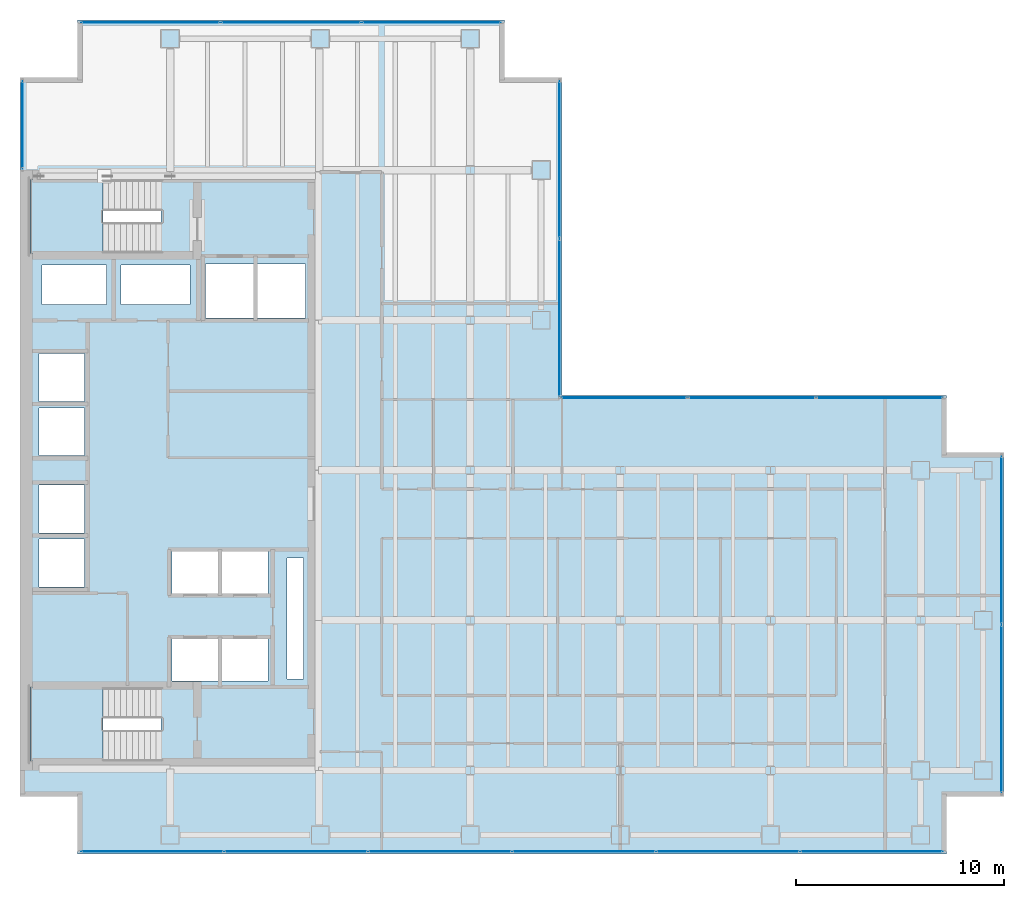
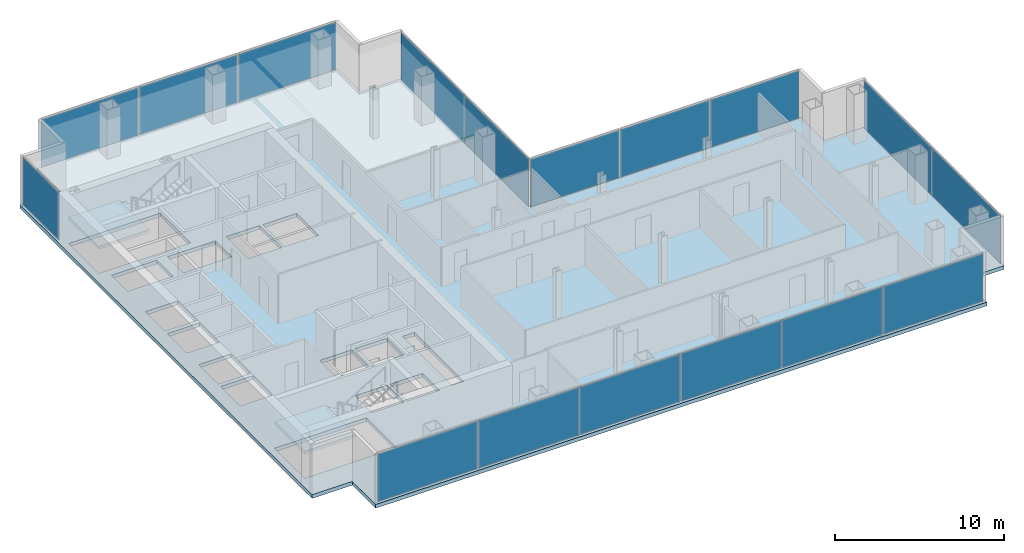
# One storey, part 19 of 23: 17 plates, 3 slabs, 15 openings, 8 elements without a shape of their own.
"""IFC4 building model written with IfcOpenShell, lengths in metres."""

from ifc_helpers import new_model, si_unit, direction, frame, origin, origin_2d, place, context, subcontext, project, spatial, polyline, rectangle, outline, extrude, material, layer, layer_set, type_object, element, aggregate, save


model = new_model("IFC4")

# Units and contexts
model_context = context("Model", 3, precision=1e-05, world=origin(), true_north=direction((0.0, 1.0)))
body_context = subcontext(model_context, "Body", "Model", "MODEL_VIEW")
ifc_project = project(units=[si_unit("LENGTHUNIT", "METRE"), si_unit("AREAUNIT", "SQUARE_METRE"), si_unit("VOLUMEUNIT", "CUBIC_METRE"), si_unit("PLANEANGLEUNIT", "RADIAN"), si_unit("MASSUNIT", "GRAM", prefix="KILO")], contexts=[model_context])

# Site, building, storey
site_placement = place(None, origin())
site = spatial("IfcSite", under=ifc_project, at=site_placement, CompositionType="ELEMENT")
building_placement = place(site_placement, origin())
building = spatial("IfcBuilding", under=site, at=building_placement, Name="Cobrela Telecom Tower", CompositionType="ELEMENT")
storey_placement = place(building_placement, frame((0.0, 0.0, 117.60009765625)))
storey = spatial("IfcBuildingStorey", under=building, at=storey_placement, Name="L29", CompositionType="ELEMENT", Elevation=117.60009765625)

# Curtain wall, plate
ifc_material_1 = material(Name="Anodized Bronze Aluminium 6063-T6", Category="aluminium")
curtain_wall_type = type_object("IfcCurtainWallType", Name="CW-SYS-TEL", PredefinedType="USERDEFINED", material=ifc_material_1)
curtain_wall_1_placement = place(storey_placement, origin())
curtain_wall_1 = element("IfcCurtainWall", 1, at=curtain_wall_1_placement, inside=storey, type_object=curtain_wall_type, Name="L29 Unitised Bronze Curtain Wall 04", ObjectType="UNITISED CURTAIN WALL", PredefinedType="USERDEFINED")
ifc_material_2 = material(Name="Solar-Control Bronze Low-E Glass", Category="glass")
ifc_layer_1 = layer(ifc_material_2, 0.035888671875)
ifc_layer_set_1 = layer_set([ifc_layer_1], Name="Solar-Control Bronze Low-E Glass")
plate_type = type_object("IfcPlateType", Name="CW-SYS-TEL-PNL", PredefinedType="CURTAIN_PANEL", material=ifc_layer_set_1)
plate_1_placement = place(storey_placement, frame((0.1201171875, 38.1650390625, 0.06982421875), z_axis=(0.0, 0.0, 1.0), x_axis=(0.0, 1.0, 0.0)))
plate_1 = element("IfcPlate", 2, at=plate_1_placement, type_object=plate_type, Name="CW-TEL panel 1.1", PredefinedType="CURTAIN_PANEL", context=body_context, shape_type="SweptSolid", body=[
    extrude(rectangle(XDim=4.179931640625, YDim=0.035888671875, at=origin_2d()), origin(), (0.0, 0.0, 1.0), 3.43994140625),
])
aggregate(curtain_wall_1, [plate_1])

# Curtain wall, plates
curtain_wall_2_placement = place(storey_placement, origin())
curtain_wall_2 = element("IfcCurtainWall", 3, at=curtain_wall_2_placement, inside=storey, type_object=curtain_wall_type, Name="L29 Unitised Bronze Curtain Wall 07", ObjectType="UNITISED CURTAIN WALL", PredefinedType="USERDEFINED")
plate_2_placement = place(storey_placement, frame((6.265380859375, 43.080078125, 0.06982421875), z_axis=(0.0, 0.0, 1.0), x_axis=(1.0, 0.0, 0.0)))
plate_2 = element("IfcPlate", 4, at=plate_2_placement, type_object=plate_type, Name="CW-TEL panel 1.1", PredefinedType="CURTAIN_PANEL", context=body_context, shape_type="SweptSolid", body=[
    extrude(rectangle(XDim=6.640869140625, YDim=0.035888671875, at=origin_2d()), origin(), (0.0, 0.0, 1.0), 3.43994140625),
])
plate_3_placement = place(storey_placement, frame((13.0, 43.080078125, 0.06982421875), z_axis=(0.0, 0.0, 1.0), x_axis=(1.0, 0.0, 0.0)))
plate_3 = element("IfcPlate", 5, at=plate_3_placement, type_object=plate_type, Name="CW-TEL panel 2.1", PredefinedType="CURTAIN_PANEL", context=body_context, shape_type="SweptSolid", body=[
    extrude(rectangle(XDim=6.67822265625, YDim=0.035888671875, at=origin_2d()), origin(), (0.0, 0.0, 1.0), 3.43994140625),
])
plate_4_placement = place(storey_placement, frame((19.734619140625, 43.080078125, 0.06982421875), z_axis=(0.0, 0.0, 1.0), x_axis=(1.0, 0.0, 0.0)))
plate_4 = element("IfcPlate", 6, at=plate_4_placement, type_object=plate_type, Name="CW-TEL panel 3.1", PredefinedType="CURTAIN_PANEL", context=body_context, shape_type="SweptSolid", body=[
    extrude(rectangle(XDim=6.640869140625, YDim=0.035888671875, at=origin_2d()), origin(), (0.0, 0.0, 1.0), 3.43994140625),
])
aggregate(curtain_wall_2, [plate_2, plate_3, plate_4])

curtain_wall_3_placement = place(storey_placement, origin())
curtain_wall_3 = element("IfcCurtainWall", 7, at=curtain_wall_3_placement, inside=storey, type_object=curtain_wall_type, Name="L29 Unitised Bronze Curtain Wall 10", ObjectType="UNITISED CURTAIN WALL", PredefinedType="USERDEFINED")
plate_5_placement = place(storey_placement, frame((25.8798828125, 36.498779296875, 0.06982421875), z_axis=(0.0, 0.0, 1.0), x_axis=(0.0, -1.0, 0.0)))
plate_5 = element("IfcPlate", 8, at=plate_5_placement, type_object=plate_type, Name="CW-TEL panel 1.1", PredefinedType="CURTAIN_PANEL", context=body_context, shape_type="SweptSolid", body=[
    extrude(rectangle(XDim=7.512451171875, YDim=0.035888671875, at=origin_2d()), origin(), (0.0, 0.0, 1.0), 3.43994140625),
])
plate_6_placement = place(storey_placement, frame((25.8798828125, 28.9111328125, 0.06982421875), z_axis=(0.0, 0.0, 1.0), x_axis=(0.0, -1.0, 0.0)))
plate_6 = element("IfcPlate", 9, at=plate_6_placement, type_object=plate_type, Name="CW-TEL panel 2.1", PredefinedType="CURTAIN_PANEL", context=body_context, shape_type="SweptSolid", body=[
    extrude(rectangle(XDim=7.512451171875, YDim=0.035888671875, at=origin_2d()), origin(), (0.0, 0.0, 1.0), 3.43994140625),
])
aggregate(curtain_wall_3, [plate_5, plate_6])

curtain_wall_4_placement = place(storey_placement, origin())
curtain_wall_4 = element("IfcCurtainWall", 10, at=curtain_wall_4_placement, inside=storey, type_object=curtain_wall_type, Name="L29 Unitised Bronze Curtain Wall 11", ObjectType="UNITISED CURTAIN WALL", PredefinedType="USERDEFINED")
plate_7_placement = place(storey_placement, frame((28.9736328125, 25.080078125, 0.06982421875), z_axis=(0.0, 0.0, 1.0), x_axis=(1.0, 0.0, 0.0)))
plate_7 = element("IfcPlate", 11, at=plate_7_placement, type_object=plate_type, Name="CW-TEL panel 1.1", PredefinedType="CURTAIN_PANEL", context=body_context, shape_type="SweptSolid", body=[
    extrude(rectangle(XDim=6.03759765625, YDim=0.035888671875, at=origin_2d()), origin(), (0.0, 0.0, 1.0), 3.43994140625),
])
plate_8_placement = place(storey_placement, frame((35.10498046875, 25.080078125, 0.06982421875), z_axis=(0.0, 0.0, 1.0), x_axis=(1.0, 0.0, 0.0)))
plate_8 = element("IfcPlate", 12, at=plate_8_placement, type_object=plate_type, Name="CW-TEL panel 2.1", PredefinedType="CURTAIN_PANEL", context=body_context, shape_type="SweptSolid", body=[
    extrude(rectangle(XDim=6.074951171875, YDim=0.035888671875, at=origin_2d()), origin(), (0.0, 0.0, 1.0), 3.43994140625),
])
plate_9_placement = place(storey_placement, frame((41.236328125, 25.080078125, 0.06982421875), z_axis=(0.0, 0.0, 1.0), x_axis=(1.0, 0.0, 0.0)))
plate_9 = element("IfcPlate", 13, at=plate_9_placement, type_object=plate_type, Name="CW-TEL panel 3.1", PredefinedType="CURTAIN_PANEL", context=body_context, shape_type="SweptSolid", body=[
    extrude(rectangle(XDim=6.03759765625, YDim=0.035888671875, at=origin_2d()), origin(), (0.0, 0.0, 1.0), 3.43994140625),
])
aggregate(curtain_wall_4, [plate_7, plate_8, plate_9])

curtain_wall_5_placement = place(storey_placement, origin())
curtain_wall_5 = element("IfcCurtainWall", 14, at=curtain_wall_5_placement, inside=storey, type_object=curtain_wall_type, Name="L29 Unitised Bronze Curtain Wall 14", ObjectType="UNITISED CURTAIN WALL", PredefinedType="USERDEFINED")
plate_10_placement = place(storey_placement, frame((47.080078125, 18.246337890625, 0.06982421875), z_axis=(0.0, 0.0, 1.0), x_axis=(0.0, -1.0, 0.0)))
plate_10 = element("IfcPlate", 15, at=plate_10_placement, type_object=plate_type, Name="CW-TEL panel 1.1", PredefinedType="CURTAIN_PANEL", context=body_context, shape_type="SweptSolid", body=[
    extrude(rectangle(XDim=8.017578125, YDim=0.035888671875, at=origin_2d()), origin(), (0.0, 0.0, 1.0), 3.43994140625),
])
plate_11_placement = place(storey_placement, frame((47.080078125, 10.15380859375, 0.06982421875), z_axis=(0.0, 0.0, 1.0), x_axis=(0.0, -1.0, 0.0)))
plate_11 = element("IfcPlate", 16, at=plate_11_placement, type_object=plate_type, Name="CW-TEL panel 2.1", PredefinedType="CURTAIN_PANEL", context=body_context, shape_type="SweptSolid", body=[
    extrude(rectangle(XDim=8.017578125, YDim=0.035888671875, at=origin_2d()), origin(), (0.0, 0.0, 1.0), 3.43994140625),
])
aggregate(curtain_wall_5, [plate_10, plate_11])

curtain_wall_6_placement = place(storey_placement, origin())
curtain_wall_6 = element("IfcCurtainWall", 17, at=curtain_wall_6_placement, inside=storey, type_object=curtain_wall_type, Name="L29 Unitised Bronze Curtain Wall 17", ObjectType="UNITISED CURTAIN WALL", PredefinedType="USERDEFINED")
plate_12_placement = place(storey_placement, frame((40.856201171875, 3.320068359375, 0.06982421875), z_axis=(0.0, 0.0, 1.0), x_axis=(-1.0, 0.0, 0.0)))
plate_12 = element("IfcPlate", 18, at=plate_12_placement, type_object=plate_type, Name="CW-TEL panel 1.1", PredefinedType="CURTAIN_PANEL", context=body_context, shape_type="SweptSolid", body=[
    extrude(rectangle(XDim=6.797607421875, YDim=0.035888671875, at=origin_2d()), origin(), (0.0, 0.0, 1.0), 3.43994140625),
])
plate_13_placement = place(storey_placement, frame((33.965087890625, 3.320068359375, 0.06982421875), z_axis=(0.0, 0.0, 1.0), x_axis=(-1.0, 0.0, 0.0)))
plate_13 = element("IfcPlate", 19, at=plate_13_placement, type_object=plate_type, Name="CW-TEL panel 2.1", PredefinedType="CURTAIN_PANEL", context=body_context, shape_type="SweptSolid", body=[
    extrude(rectangle(XDim=6.8349609375, YDim=0.035888671875, at=origin_2d()), origin(), (0.0, 0.0, 1.0), 3.43994140625),
])
plate_14_placement = place(storey_placement, frame((27.054931640625, 3.320068359375, 0.06982421875), z_axis=(0.0, 0.0, 1.0), x_axis=(-1.0, 0.0, 0.0)))
plate_14 = element("IfcPlate", 20, at=plate_14_placement, type_object=plate_type, Name="CW-TEL panel 3.1", PredefinedType="CURTAIN_PANEL", context=body_context, shape_type="SweptSolid", body=[
    extrude(rectangle(XDim=6.8349609375, YDim=0.035888671875, at=origin_2d()), origin(), (0.0, 0.0, 1.0), 3.43994140625),
])
plate_15_placement = place(storey_placement, frame((20.14501953125, 3.320068359375, 0.06982421875), z_axis=(0.0, 0.0, 1.0), x_axis=(-1.0, 0.0, 0.0)))
plate_15 = element("IfcPlate", 21, at=plate_15_placement, type_object=plate_type, Name="CW-TEL panel 4.1", PredefinedType="CURTAIN_PANEL", context=body_context, shape_type="SweptSolid", body=[
    extrude(rectangle(XDim=6.8349609375, YDim=0.035888671875, at=origin_2d()), origin(), (0.0, 0.0, 1.0), 3.43994140625),
])
plate_16_placement = place(storey_placement, frame((13.235107421875, 3.320068359375, 0.06982421875), z_axis=(0.0, 0.0, 1.0), x_axis=(-1.0, 0.0, 0.0)))
plate_16 = element("IfcPlate", 22, at=plate_16_placement, type_object=plate_type, Name="CW-TEL panel 5.1", PredefinedType="CURTAIN_PANEL", context=body_context, shape_type="SweptSolid", body=[
    extrude(rectangle(XDim=6.8349609375, YDim=0.035888671875, at=origin_2d()), origin(), (0.0, 0.0, 1.0), 3.43994140625),
])
plate_17_placement = place(storey_placement, frame((6.34375, 3.320068359375, 0.06982421875), z_axis=(0.0, 0.0, 1.0), x_axis=(-1.0, 0.0, 0.0)))
plate_17 = element("IfcPlate", 23, at=plate_17_placement, type_object=plate_type, Name="CW-TEL panel 6.1", PredefinedType="CURTAIN_PANEL", context=body_context, shape_type="SweptSolid", body=[
    extrude(rectangle(XDim=6.797607421875, YDim=0.035888671875, at=origin_2d()), origin(), (0.0, 0.0, 1.0), 3.43994140625),
])
aggregate(curtain_wall_6, [plate_12, plate_13, plate_14, plate_15, plate_16, plate_17])

# Slab, openings
ifc_material_3 = material(Name="Concrete C40/50", Category="concrete")
ifc_layer_2 = layer(ifc_material_3, 0.27001953125)
ifc_layer_set_2 = layer_set([ifc_layer_2], Name="Concrete C40/50")
slab_type_1 = type_object("IfcSlabType", Name="SLAB-FLR-270", PredefinedType="FLOOR", material=ifc_layer_set_2)
slab_1_placement = place(storey_placement, frame((0.0, 0.0, -0.27001953125)))
slab_1 = element("IfcSlab", 24, at=slab_1_placement, inside=storey, type_object=slab_type_1, Name="L29 Structural Floor Slab", PredefinedType="FLOOR", context=body_context, shape_type="SweptSolid", body=[
    extrude(outline(polyline([(2.75, 3.199951171875), (44.449951171875, 3.199951171875), (44.449951171875, 5.949951171875), (47.199951171875, 5.949951171875), (47.199951171875, 22.449951171875), (44.449951171875, 22.449951171875), (44.449951171875, 25.199951171875), (26.0, 25.199951171875), (26.0, 40.449951171875), (23.25, 40.449951171875), (23.25, 43.199951171875), (2.75, 43.199951171875), (2.75, 40.449951171875), (0.0, 40.449951171875), (0.0, 5.949951171875), (2.75, 5.949951171875), (2.75, 3.199951171875)])), origin(), (0.0, 0.0, 1.0), 0.27001953125),
])
opening_1_placement = place(slab_1_placement, frame((0.0, 0.0, -0.02001953125)))
element("IfcOpeningElement", 25, at=opening_1_placement, cuts=slab_1, Name="Slab Shaft Opening SLAB-L29-MAIN.1", PredefinedType="OPENING", context=body_context, shape_type="SweptSolid", body=[
    extrude(outline(polyline([(8.89990234375, 28.89990234375), (11.199951171875, 28.89990234375), (11.199951171875, 31.5), (8.89990234375, 31.5), (8.89990234375, 28.89990234375)])), origin(), (0.0, 0.0, 1.0), 0.31005859375),
])
opening_2_placement = place(slab_1_placement, frame((0.0, 0.0, -0.02001953125)))
element("IfcOpeningElement", 26, at=opening_2_placement, cuts=slab_1, Name="Slab Shaft Opening SLAB-L29-MAIN.2", PredefinedType="OPENING", context=body_context, shape_type="SweptSolid", body=[
    extrude(outline(polyline([(11.39990234375, 28.89990234375), (13.699951171875, 28.89990234375), (13.699951171875, 31.5), (11.39990234375, 31.5), (11.39990234375, 28.89990234375)])), origin(), (0.0, 0.0, 1.0), 0.31005859375),
])
opening_3_placement = place(slab_1_placement, frame((0.0, 0.0, -0.02001953125)))
element("IfcOpeningElement", 27, at=opening_3_placement, cuts=slab_1, Name="Slab Shaft Opening SLAB-L29-MAIN.3", PredefinedType="OPENING", context=body_context, shape_type="SweptSolid", body=[
    extrude(outline(polyline([(7.300048828125, 15.699951171875), (9.5, 15.699951171875), (9.5, 17.699951171875), (7.300048828125, 17.699951171875), (7.300048828125, 15.699951171875)])), origin(), (0.0, 0.0, 1.0), 0.31005859375),
])
opening_4_placement = place(slab_1_placement, frame((0.0, 0.0, -0.02001953125)))
element("IfcOpeningElement", 28, at=opening_4_placement, cuts=slab_1, Name="Slab Shaft Opening SLAB-L29-MAIN.4", PredefinedType="OPENING", context=body_context, shape_type="SweptSolid", body=[
    extrude(outline(polyline([(9.699951171875, 15.699951171875), (11.89990234375, 15.699951171875), (11.89990234375, 17.699951171875), (9.699951171875, 17.699951171875), (9.699951171875, 15.699951171875)])), origin(), (0.0, 0.0, 1.0), 0.31005859375),
])
opening_5_placement = place(slab_1_placement, frame((0.0, 0.0, -0.02001953125)))
element("IfcOpeningElement", 29, at=opening_5_placement, cuts=slab_1, Name="Slab Shaft Opening SLAB-L29-MAIN.5", PredefinedType="OPENING", context=body_context, shape_type="SweptSolid", body=[
    extrude(outline(polyline([(7.300048828125, 11.5), (9.5, 11.5), (9.5, 13.5), (7.300048828125, 13.5), (7.300048828125, 11.5)])), origin(), (0.0, 0.0, 1.0), 0.31005859375),
])
opening_6_placement = place(slab_1_placement, frame((0.0, 0.0, -0.02001953125)))
element("IfcOpeningElement", 30, at=opening_6_placement, cuts=slab_1, Name="Slab Shaft Opening SLAB-L29-MAIN.6", PredefinedType="OPENING", context=body_context, shape_type="SweptSolid", body=[
    extrude(outline(polyline([(9.699951171875, 11.5), (11.89990234375, 11.5), (11.89990234375, 13.5), (9.699951171875, 13.5), (9.699951171875, 11.5)])), origin(), (0.0, 0.0, 1.0), 0.31005859375),
])
opening_7_placement = place(slab_1_placement, frame((0.0, 0.0, -0.02001953125)))
element("IfcOpeningElement", 31, at=opening_7_placement, cuts=slab_1, Name="Slab Shaft Opening SLAB-L29-MAIN.7", PredefinedType="OPENING", context=body_context, shape_type="SweptSolid", body=[
    extrude(outline(polyline([(0.89990234375, 16.0), (3.10009765625, 16.0), (3.10009765625, 18.300048828125), (0.89990234375, 18.300048828125), (0.89990234375, 16.0)])), origin(), (0.0, 0.0, 1.0), 0.31005859375),
])
opening_8_placement = place(slab_1_placement, frame((0.0, 0.0, -0.02001953125)))
element("IfcOpeningElement", 32, at=opening_8_placement, cuts=slab_1, Name="Slab Shaft Opening SLAB-L29-MAIN.8", PredefinedType="OPENING", context=body_context, shape_type="SweptSolid", body=[
    extrude(outline(polyline([(0.89990234375, 18.60009765625), (3.10009765625, 18.60009765625), (3.10009765625, 20.89990234375), (0.89990234375, 20.89990234375), (0.89990234375, 18.60009765625)])), origin(), (0.0, 0.0, 1.0), 0.31005859375),
])
opening_9_placement = place(slab_1_placement, frame((0.0, 0.0, -0.02001953125)))
element("IfcOpeningElement", 33, at=opening_9_placement, cuts=slab_1, Name="Slab Shaft Opening SLAB-L29-MAIN.9", PredefinedType="OPENING", context=body_context, shape_type="SweptSolid", body=[
    extrude(outline(polyline([(0.89990234375, 22.300048828125), (3.10009765625, 22.300048828125), (3.10009765625, 24.60009765625), (0.89990234375, 24.60009765625), (0.89990234375, 22.300048828125)])), origin(), (0.0, 0.0, 1.0), 0.31005859375),
])
opening_10_placement = place(slab_1_placement, frame((0.0, 0.0, -0.02001953125)))
element("IfcOpeningElement", 34, at=opening_10_placement, cuts=slab_1, Name="Slab Shaft Opening SLAB-L29-MAIN.10", PredefinedType="OPENING", context=body_context, shape_type="SweptSolid", body=[
    extrude(outline(polyline([(0.89990234375, 24.89990234375), (3.10009765625, 24.89990234375), (3.10009765625, 27.199951171875), (0.89990234375, 27.199951171875), (0.89990234375, 24.89990234375)])), origin(), (0.0, 0.0, 1.0), 0.31005859375),
])
opening_11_placement = place(slab_1_placement, frame((0.0, 0.0, -0.02001953125)))
element("IfcOpeningElement", 35, at=opening_11_placement, cuts=slab_1, Name="Slab Shaft Opening SLAB-L29-MAIN.11", PredefinedType="OPENING", context=body_context, shape_type="SweptSolid", body=[
    extrude(outline(polyline([(1.050048828125, 29.550048828125), (4.14990234375, 29.550048828125), (4.14990234375, 31.449951171875), (1.050048828125, 31.449951171875), (1.050048828125, 29.550048828125)])), origin(), (0.0, 0.0, 1.0), 0.31005859375),
])
opening_12_placement = place(slab_1_placement, frame((0.0, 0.0, -0.02001953125)))
element("IfcOpeningElement", 36, at=opening_12_placement, cuts=slab_1, Name="Slab Shaft Opening SLAB-L29-MAIN.12", PredefinedType="OPENING", context=body_context, shape_type="SweptSolid", body=[
    extrude(outline(polyline([(4.85009765625, 29.550048828125), (8.14990234375, 29.550048828125), (8.14990234375, 31.449951171875), (4.85009765625, 31.449951171875), (4.85009765625, 29.550048828125)])), origin(), (0.0, 0.0, 1.0), 0.31005859375),
])
opening_13_placement = place(slab_1_placement, frame((0.0, 0.0, -0.02001953125)))
element("IfcOpeningElement", 37, at=opening_13_placement, cuts=slab_1, Name="Slab Shaft Opening SLAB-L29-MAIN.13", PredefinedType="OPENING", context=body_context, shape_type="SweptSolid", body=[
    extrude(outline(polyline([(12.800048828125, 11.60009765625), (13.60009765625, 11.60009765625), (13.60009765625, 17.39990234375), (12.800048828125, 17.39990234375), (12.800048828125, 11.60009765625)])), origin(), (0.0, 0.0, 1.0), 0.31005859375),
])
opening_14_placement = place(slab_1_placement, frame((0.0, 0.0, -0.02001953125)))
element("IfcOpeningElement", 38, at=opening_14_placement, cuts=slab_1, Name="Slab Shaft Opening SLAB-L29-MAIN.14", PredefinedType="OPENING", context=body_context, shape_type="SweptSolid", body=[
    extrude(outline(polyline([(6.7548828125, 35.550048828125), (0.47998046875, 35.550048828125), (0.47998046875, 32.0), (6.7548828125, 32.0), (6.7548828125, 35.550048828125)])), origin(), (0.0, 0.0, 1.0), 0.31005859375),
])
opening_15_placement = place(slab_1_placement, frame((0.0, 0.0, -0.02001953125)))
element("IfcOpeningElement", 39, at=opening_15_placement, cuts=slab_1, Name="Slab Shaft Opening SLAB-L29-MAIN.15", PredefinedType="OPENING", context=body_context, shape_type="SweptSolid", body=[
    extrude(outline(polyline([(6.7548828125, 11.199951171875), (0.47998046875, 11.199951171875), (0.47998046875, 7.64990234375), (6.7548828125, 7.64990234375), (6.7548828125, 11.199951171875)])), origin(), (0.0, 0.0, 1.0), 0.31005859375),
])

# Stair, slab
stair_type = type_object("IfcStairType", Name="STAIR-CORE", PredefinedType="HALF_TURN_STAIR", material=ifc_material_3)
stair_1_placement = place(storey_placement, origin())
stair_1 = element("IfcStair", 40, at=stair_1_placement, inside=storey, type_object=stair_type, Name="L29 Smokeproof Exit Stair ST1", PredefinedType="HALF_TURN_STAIR")
ifc_layer_3 = layer(ifc_material_3, 0.199951171875)
ifc_layer_set_3 = layer_set([ifc_layer_3], Name="Concrete C40/50")
slab_type_2 = type_object("IfcSlabType", Name="SLAB-LAND-200", PredefinedType="LANDING", material=ifc_layer_set_3)
slab_2_placement = place(storey_placement, frame((0.0, 0.0, 1.724853515625)))
slab_2 = element("IfcSlab", 41, at=slab_2_placement, type_object=slab_type_2, Name="ST1 landing 1", PredefinedType="LANDING", context=body_context, shape_type="SweptSolid", body=[
    extrude(outline(polyline([(3.969970703125, 35.550048828125), (0.47998046875, 35.550048828125), (0.47998046875, 32.0), (3.969970703125, 32.0), (3.969970703125, 35.550048828125)])), origin(), (0.0, 0.0, 1.0), 0.199951171875),
])
aggregate(stair_1, [slab_2])

stair_2_placement = place(storey_placement, origin())
stair_2 = element("IfcStair", 42, at=stair_2_placement, inside=storey, type_object=stair_type, Name="L29 Smokeproof Exit Stair ST2", PredefinedType="HALF_TURN_STAIR")
slab_3_placement = place(storey_placement, frame((0.0, 0.0, 1.724853515625)))
slab_3 = element("IfcSlab", 43, at=slab_3_placement, type_object=slab_type_2, Name="ST2 landing 1", PredefinedType="LANDING", context=body_context, shape_type="SweptSolid", body=[
    extrude(outline(polyline([(3.969970703125, 11.199951171875), (0.47998046875, 11.199951171875), (0.47998046875, 7.64990234375), (3.969970703125, 7.64990234375), (3.969970703125, 11.199951171875)])), origin(), (0.0, 0.0, 1.0), 0.199951171875),
])
aggregate(stair_2, [slab_3])

save(model, "model.ifc")
